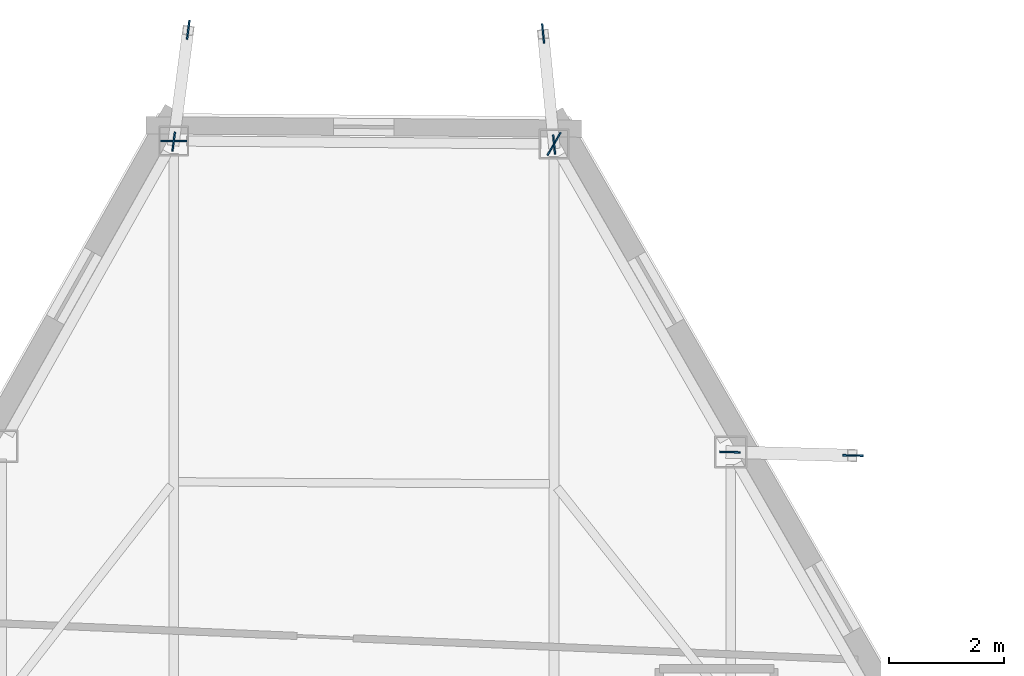
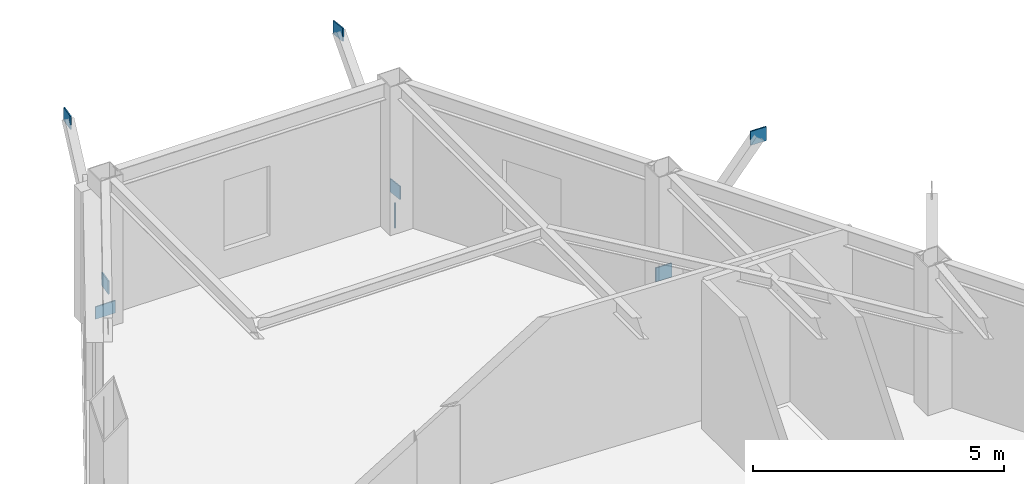
# One storey, part 6 of 10: 8 plates.
"""IFC4 building model written with IfcOpenShell, lengths in metres."""

from ifc_helpers import new_model, si_unit, direction, frame, origin, origin_2d, place, context, subcontext, project, spatial, rectangle, extrude, material, layer, layer_set, type_object, element, save


model = new_model("IFC4")

# Units and contexts
model_context = context("Model", 3, precision=1e-05, world=origin(), true_north=direction((0.0, 1.0)))
body_context = subcontext(model_context, "Body", "Model", "MODEL_VIEW")
ifc_project = project(units=[si_unit("LENGTHUNIT", "METRE"), si_unit("AREAUNIT", "SQUARE_METRE"), si_unit("VOLUMEUNIT", "CUBIC_METRE"), si_unit("PLANEANGLEUNIT", "RADIAN"), si_unit("MASSUNIT", "GRAM", prefix="KILO")], contexts=[model_context])

# Site, building, storey
site_placement = place(None, origin())
site = spatial("IfcSite", under=ifc_project, at=site_placement, CompositionType="ELEMENT")
building_placement = place(site_placement, origin())
building = spatial("IfcBuilding", under=site, at=building_placement, Name="Kavelnor Concourse Tower", CompositionType="ELEMENT")
storey_placement = place(building_placement, frame((0.0, 0.0, 243.35009765625)))
storey = spatial("IfcBuildingStorey", under=building, at=storey_placement, Name="L61", CompositionType="ELEMENT", Elevation=243.35009765625)

# Plates
ifc_material = material(Name="Steel Grade 350", Category="steel")
ifc_layer = layer(ifc_material, 0.028076171875, Name="Steel Grade 350")
ifc_layer_set = layer_set([ifc_layer], Name="Steel Grade 350")
plate_type = type_object("IfcPlateType", Name="PL-GUSSET-FOLD", PredefinedType="USERDEFINED", material=ifc_layer_set)
for number, where, z_axis, x_axis, name in (
    (1, (34.733154296875, 43.601806640625, 0.10009765625), (0.0, 0.0, 1.0), (1.0, 0.0, 0.0), "L61 Herringbone Corner-Fold Kink Gusset Plate F0-B0"),
    (2, (41.364501953125, 43.5498046875, 0.10009765625), (0.0, 0.0, 1.0), (-0.5, -0.866025403784, 0.0), "L61 Herringbone Corner-Fold Kink Gusset Plate F2-B6"),
):
    element("IfcPlate", number, at=place(storey_placement, frame(where, z_axis=z_axis, x_axis=x_axis)), inside=storey, type_object=plate_type, Name=name, ObjectType="GUSSET_PLATE", PredefinedType="USERDEFINED", context=body_context, shape_type="SweptSolid", body=[
        extrude(rectangle(XDim=0.4599609375, YDim=0.028076171875, at=origin_2d()), origin(), (0.0, 0.0, 1.0), 0.300048828125),
    ])
for number, where, z_axis, x_axis, name in (
    (3, (41.36572265625, 43.5380859375, 0.73974609375), (0.0, 0.0, 1.0), (-0.098451362239, 0.995141863893, 0.0), "L61 Terrace Strut Gusset GP4 C0-A End Gusset A"),
    (4, (41.173828125, 45.477294921875, 3.47509765625), (0.0, 0.0, 1.0), (-0.098451362239, 0.995141863893, 0.0), "L61 Terrace Strut Gusset GP4 C0-A End Gusset B"),
    (5, (34.731689453125, 43.58984375, 0.73974609375), (0.0, 0.0, 1.0), (0.129141747261, 0.991626143823, 0.0), "L61 Terrace Strut Gusset GP4 C0-B End Gusset A"),
    (6, (34.985595703125, 45.541015625, 3.47509765625), (0.0, 0.0, 1.0), (0.129141747261, 0.991626143823, 0.0), "L61 Terrace Strut Gusset GP4 C0-B End Gusset B"),
):
    element("IfcPlate", number, at=place(storey_placement, frame(where, z_axis=z_axis, x_axis=x_axis)), inside=storey, type_object=plate_type, Name=name, ObjectType="GUSSET_PLATE", PredefinedType="USERDEFINED", context=body_context, shape_type="SweptSolid", body=[
        extrude(rectangle(XDim=0.340087890625, YDim=0.028076171875, at=origin_2d()), origin(), (0.0, 0.0, 1.0), 0.320068359375),
    ])
for number, where, z_axis, x_axis, name in (
    (7, (44.434814453125, 38.176513671875, 0.8798828125), (0.0, 0.0, 1.0), (0.999614973061, -0.027747173422, 0.0), "L61 Balcony Strut Gusset GP4 1-B End Gusset A"),
    (8, (46.57958984375, 38.116943359375, 3.48486328125), (0.0, 0.0, 1.0), (0.999614973061, -0.027747173422, 0.0), "L61 Balcony Strut Gusset GP4 1-B End Gusset B"),
):
    element("IfcPlate", number, at=place(storey_placement, frame(where, z_axis=z_axis, x_axis=x_axis)), inside=storey, type_object=plate_type, Name=name, ObjectType="GUSSET_PLATE", PredefinedType="USERDEFINED", context=body_context, shape_type="SweptSolid", body=[
        extrude(rectangle(XDim=0.360107421875, YDim=0.028076171875, at=origin_2d()), origin(), (0.0, 0.0, 1.0), 0.340087890625),
    ])

save(model, "model.ifc")
